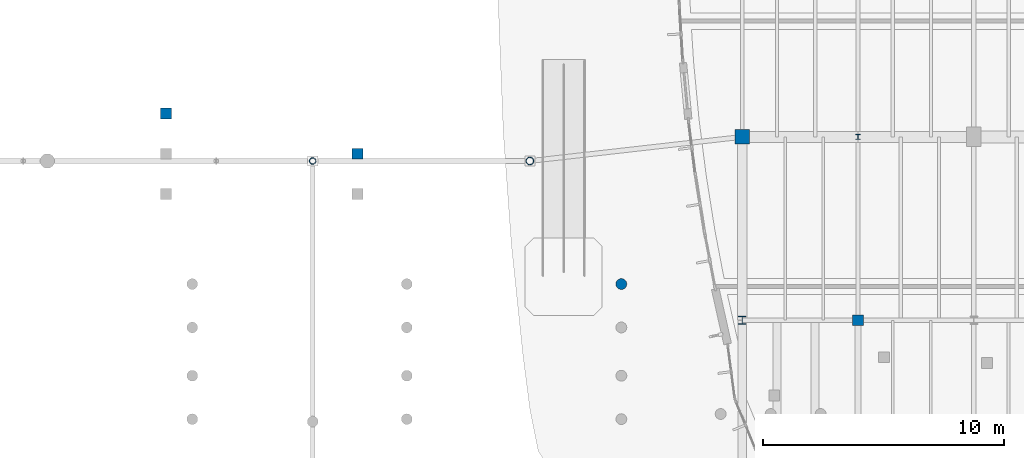
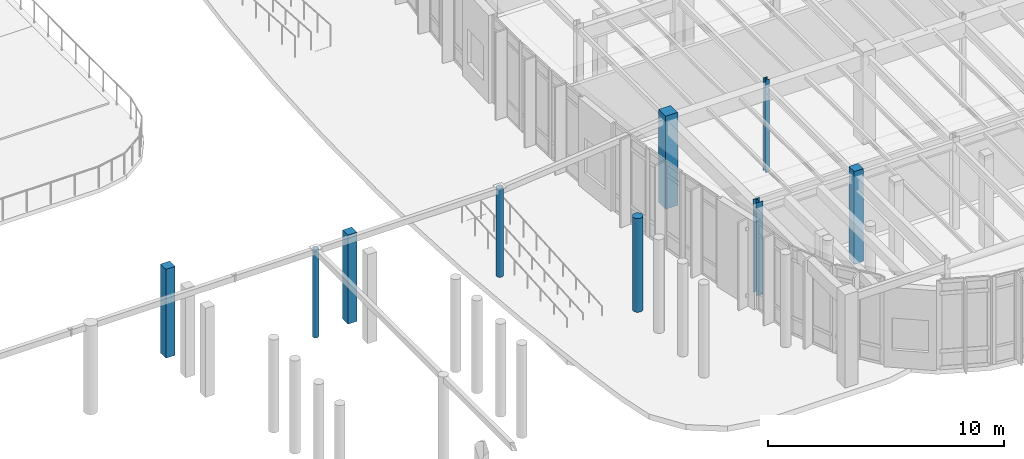
# One storey, part 12 of 120: 9 columns.
"""IFC4 building model written with IfcOpenShell, lengths in metres."""

from ifc_helpers import new_model, si_unit, direction, frame, origin, origin_2d, place, context, subcontext, project, spatial, rectangle, circle, hollow_circle, i_section, extrude, material, material_profile, profile_set, type_object, element, save


model = new_model("IFC4")

# Units and contexts
model_context = context("Model", 3, precision=1e-05, world=origin(), true_north=direction((0.0, 1.0)))
body_context = subcontext(model_context, "Body", "Model", "MODEL_VIEW")
ifc_project = project(units=[si_unit("LENGTHUNIT", "METRE"), si_unit("AREAUNIT", "SQUARE_METRE"), si_unit("VOLUMEUNIT", "CUBIC_METRE"), si_unit("PLANEANGLEUNIT", "RADIAN"), si_unit("MASSUNIT", "GRAM", prefix="KILO")], contexts=[model_context])

# Site, building, storey
site_placement = place(None, origin())
site = spatial("IfcSite", under=ifc_project, at=site_placement, CompositionType="ELEMENT")
building_placement = place(site_placement, origin())
building = spatial("IfcBuilding", under=site, at=building_placement, Name="Corveleigh Park Community Centre", CompositionType="ELEMENT")
storey_placement = place(building_placement, origin())
storey = spatial("IfcBuildingStorey", under=building, at=storey_placement, Name="L00", CompositionType="ELEMENT", Elevation=0.0)

# Columns
ifc_material_1 = material(Name="Concrete C40/50", Category="concrete")
ifc_material_profile_1 = material_profile(ifc_material_1, rectangle(XDim=0.449951171875, YDim=0.449951171875, at=origin_2d()), Name="RC-450x450", Category="concrete")
ifc_profile_set_1 = profile_set([ifc_material_profile_1], Name="Concrete C40/50")
column_type_1 = type_object("IfcColumnType", Name="COL-RC-450x450", PredefinedType="COLUMN", material=ifc_profile_set_1)
column_1_placement = place(storey_placement, frame((134.60009765625, 66.199951171875, 0.0), z_axis=(0.0, 0.0, 1.0), x_axis=(1.0, 0.0, 0.0)))
element("IfcColumn", 1, at=column_1_placement, inside=storey, type_object=column_type_1, Name="Column V4-X1Y1 L00", PredefinedType="COLUMN", context=body_context, shape_type="SweptSolid", body=[
    extrude(rectangle(XDim=0.449951171875, YDim=0.449951171875, at=origin_2d()), origin(), (0.0, 0.0, 1.0), 4.800048828125),
])
for number, where, z_axis, x_axis, name in (
    (2, (105.9189453125, 74.77490234375, 0.0), (0.0, 0.0, 1.0), (1.0, 0.0, 0.0), "External deck support pier 231 L00"),
    (3, (113.85009765625, 73.10302734375, 0.0), (0.0, 0.0, 1.0), (1.0, 0.0, 0.0), "External deck support pier 233 L00"),
):
    element("IfcColumn", number, at=place(storey_placement, frame(where, z_axis=z_axis, x_axis=x_axis)), inside=storey, type_object=column_type_1, Name=name, PredefinedType="COLUMN", context=body_context, shape_type="SweptSolid", body=[
        extrude(rectangle(XDim=0.449951171875, YDim=0.449951171875, at=origin_2d()), origin(), (0.0, 0.0, 1.0), 4.595947265625),
    ])
ifc_material_profile_2 = material_profile(ifc_material_1, rectangle(XDim=0.60009765625, YDim=0.60009765625, at=origin_2d()), Name="RC-600x600", Category="concrete")
ifc_profile_set_2 = profile_set([ifc_material_profile_2], Name="Concrete C40/50")
column_type_2 = type_object("IfcColumnType", Name="COL-RC-600x600", PredefinedType="COLUMN", material=ifc_profile_set_2)
column_2_placement = place(storey_placement, frame((129.800048828125, 73.800048828125, 0.0), z_axis=(0.0, 0.0, 1.0), x_axis=(1.0, 0.0, 0.0)))
element("IfcColumn", 4, at=column_2_placement, inside=storey, type_object=column_type_2, Name="Column V4-X0Y2 L00", PredefinedType="COLUMN", context=body_context, shape_type="SweptSolid", body=[
    extrude(rectangle(XDim=0.60009765625, YDim=0.60009765625, at=origin_2d()), origin(), (0.0, 0.0, 1.0), 4.800048828125),
])
ifc_material_profile_3 = material_profile(ifc_material_1, circle(Radius=0.22509765625, at=origin_2d()), Name="RC-450D", Category="concrete")
ifc_profile_set_3 = profile_set([ifc_material_profile_3], Name="Concrete C40/50")
column_type_3 = type_object("IfcColumnType", Name="COL-RCE-450D", PredefinedType="COLUMN", material=ifc_profile_set_3)
column_3_placement = place(storey_placement, frame((124.7919921875, 67.699951171875, 0.0), z_axis=(0.0, 0.0, 1.0), x_axis=(1.0, 0.0, 0.0)))
element("IfcColumn", 5, at=column_3_placement, inside=storey, type_object=column_type_3, Name="External deck support pier 97 L00", PredefinedType="COLUMN", context=body_context, shape_type="SweptSolid", body=[
    extrude(circle(Radius=0.22509765625, at=origin_2d()), origin(), (0.0, 0.0, 1.0), 4.837890625),
])
ifc_material_2 = material(Name="Steel S355", Category="steel")
ifc_material_profile_4 = material_profile(ifc_material_2, hollow_circle(Radius=0.136474609375, WallThickness=0.012451171875, at=origin_2d()), Name="CHS 273.0x12.5", Category="steel")
ifc_profile_set_4 = profile_set([ifc_material_profile_4], Name="Steel S355")
column_type_4 = type_object("IfcColumnType", Name="COL-STL-CHS273", PredefinedType="COLUMN", material=ifc_profile_set_4)
column_4_placement = place(storey_placement, frame((112.0, 72.800048828125, 0.0), z_axis=(0.0, 0.0, 1.0), x_axis=(1.0, 0.0, 0.0)))
element("IfcColumn", 6, at=column_4_placement, inside=storey, type_object=column_type_4, Name="Column V5-N6 L00", PredefinedType="COLUMN", context=body_context, shape_type="SweptSolid", body=[
    extrude(hollow_circle(Radius=0.136474609375, WallThickness=0.012451171875, at=origin_2d()), origin(), (0.0, 0.0, 1.0), 4.56591796875),
])
ifc_material_profile_5 = material_profile(ifc_material_2, hollow_circle(Radius=0.161865234375, WallThickness=0.01611328125, at=origin_2d()), Name="CHS 323.9x16.0", Category="steel")
ifc_profile_set_5 = profile_set([ifc_material_profile_5], Name="Steel S355")
column_type_5 = type_object("IfcColumnType", Name="COL-STL-CHS324", PredefinedType="COLUMN", material=ifc_profile_set_5)
column_5_placement = place(storey_placement, frame((121.0, 72.800048828125, 0.0), z_axis=(0.0, 0.0, 1.0), x_axis=(1.0, 0.0, 0.0)))
element("IfcColumn", 7, at=column_5_placement, inside=storey, type_object=column_type_5, Name="Column V5-N7 L00", PredefinedType="COLUMN", context=body_context, shape_type="SweptSolid", body=[
    extrude(hollow_circle(Radius=0.161865234375, WallThickness=0.01611328125, at=origin_2d()), origin(), (0.0, 0.0, 1.0), 4.56591796875),
])
ifc_material_profile_6 = material_profile(ifc_material_2, i_section(OverallWidth=0.205810546875, OverallDepth=0.209716796875, WebThickness=0.009521484375, FlangeThickness=0.01416015625, at=origin_2d()), Name="UKC 203x203x60", Category="steel")
ifc_profile_set_6 = profile_set([ifc_material_profile_6], Name="Steel S355")
column_type_6 = type_object("IfcColumnType", Name="COL-STL-UKC203x60", PredefinedType="COLUMN", material=ifc_profile_set_6)
column_6_placement = place(storey_placement, frame((134.60009765625, 73.800048828125, 0.0), z_axis=(0.0, 0.0, 1.0), x_axis=(1.0, 0.0, 0.0)))
element("IfcColumn", 8, at=column_6_placement, inside=storey, type_object=column_type_6, Name="Column V4-X1Y2 L00", PredefinedType="COLUMN", context=body_context, shape_type="SweptSolid", body=[
    extrude(i_section(OverallWidth=0.205810546875, OverallDepth=0.209716796875, WebThickness=0.009521484375, FlangeThickness=0.01416015625, at=origin_2d()), origin(), (0.0, 0.0, 1.0), 4.800048828125),
])
ifc_material_profile_7 = material_profile(ifc_material_2, i_section(OverallWidth=0.30908203125, OverallDepth=0.320556640625, WebThickness=0.013916015625, FlangeThickness=0.021728515625, at=origin_2d()), Name="UKC 305x305x137", Category="steel")
ifc_profile_set_7 = profile_set([ifc_material_profile_7], Name="Steel S355")
column_type_7 = type_object("IfcColumnType", Name="COL-STL-UKC305x137", PredefinedType="COLUMN", material=ifc_profile_set_7)
column_7_placement = place(storey_placement, frame((129.800048828125, 66.199951171875, 0.0), z_axis=(0.0, 0.0, 1.0), x_axis=(1.0, 0.0, 0.0)))
element("IfcColumn", 9, at=column_7_placement, inside=storey, type_object=column_type_7, Name="Column V4-X0Y1 L00", PredefinedType="COLUMN", context=body_context, shape_type="SweptSolid", body=[
    extrude(i_section(OverallWidth=0.30908203125, OverallDepth=0.320556640625, WebThickness=0.013916015625, FlangeThickness=0.021728515625, at=origin_2d()), origin(), (0.0, 0.0, 1.0), 4.800048828125),
])

save(model, "model.ifc")
